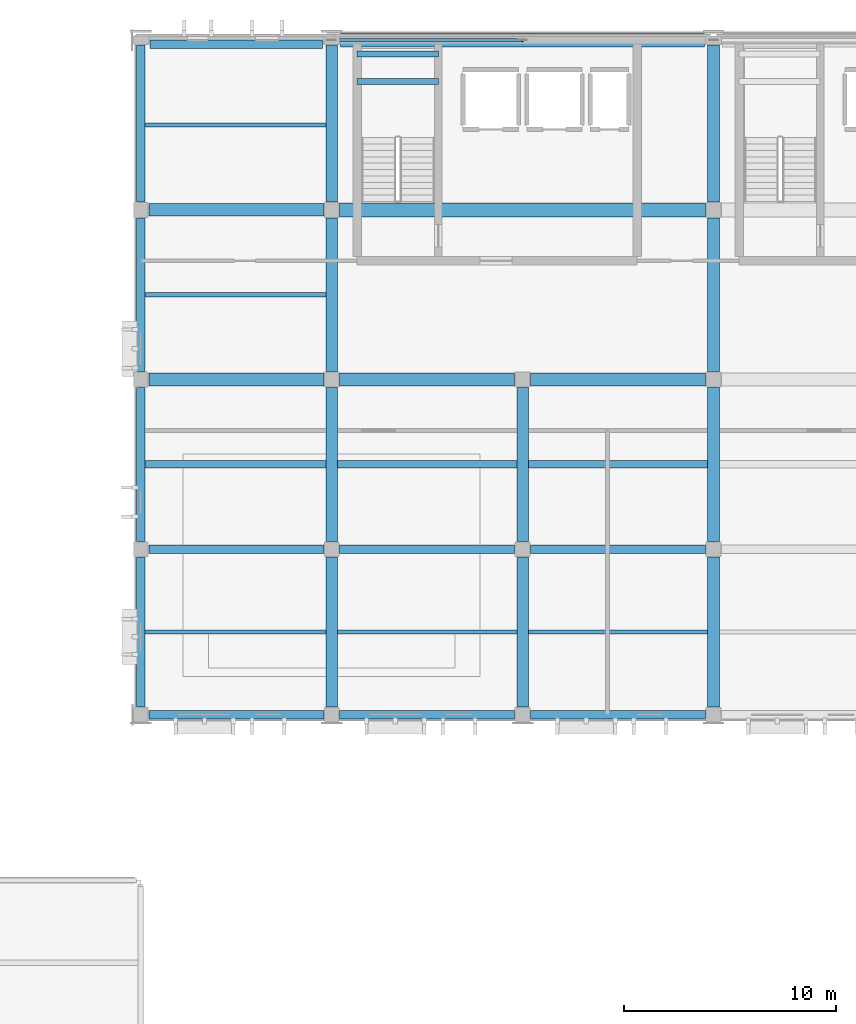
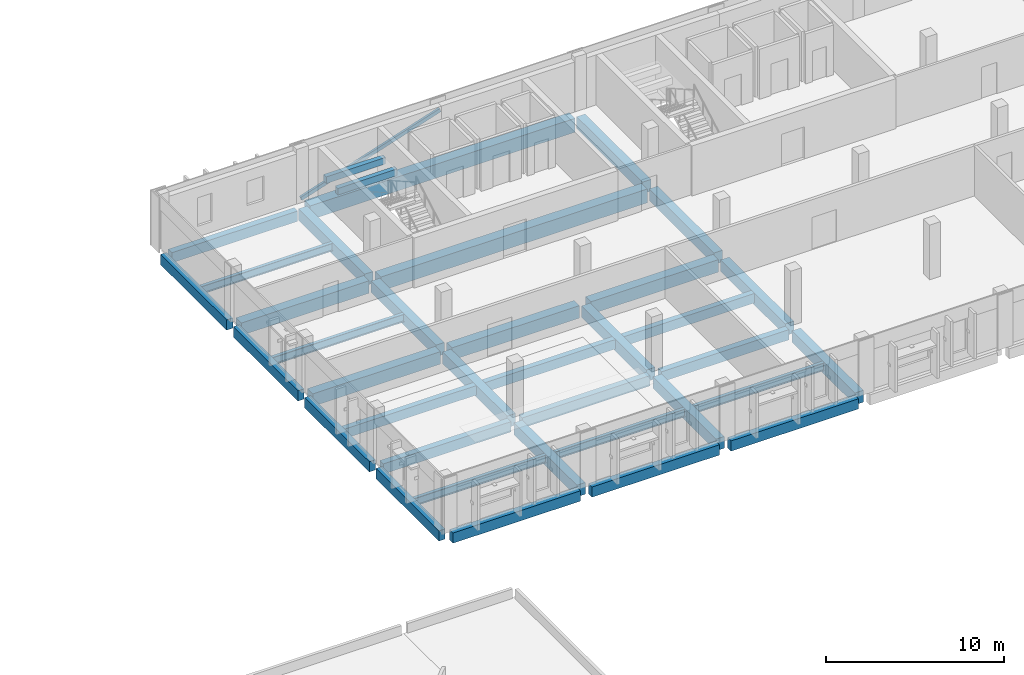
# One storey, part 20 of 73: 37 beams, 1 member.
"""IFC4 building model written with IfcOpenShell, lengths in metres."""

from ifc_helpers import new_model, si_unit, direction, frame, origin, origin_2d, place, context, subcontext, project, spatial, rectangle, hollow_rectangle, i_section, extrude, material, material_profile, profile_set, type_object, element, save


model = new_model("IFC4")

# Units and contexts
model_context = context("Model", 3, precision=1e-05, world=origin(), true_north=direction((0.0, 1.0)))
body_context = subcontext(model_context, "Body", "Model", "MODEL_VIEW")
ifc_project = project(units=[si_unit("LENGTHUNIT", "METRE"), si_unit("AREAUNIT", "SQUARE_METRE"), si_unit("VOLUMEUNIT", "CUBIC_METRE"), si_unit("PLANEANGLEUNIT", "RADIAN"), si_unit("MASSUNIT", "GRAM", prefix="KILO")], contexts=[model_context])

# Site, building, storey
site_placement = place(None, origin())
site = spatial("IfcSite", under=ifc_project, at=site_placement, CompositionType="ELEMENT")
building_placement = place(site_placement, origin())
building = spatial("IfcBuilding", under=site, at=building_placement, Name="Vervanel Yard Central Library", CompositionType="ELEMENT")
storey_placement = place(building_placement, frame((0.0, 0.0, 12.780029296875)))
storey = spatial("IfcBuildingStorey", under=building, at=storey_placement, Name="L03", CompositionType="ELEMENT", Elevation=12.780029296875)

# Beams
ifc_material_1 = material(Name="Concrete C45/55", Category="concrete")
ifc_material_profile_1 = material_profile(ifc_material_1, rectangle(XDim=0.64990234375, YDim=0.949951171875, at=origin_2d()), Name="RC 650x950", Category="concrete")
ifc_profile_set_1 = profile_set([ifc_material_profile_1], Name="Concrete C45/55")
beam_type_1 = type_object("IfcBeamType", Name="Concrete Heavy Stack Girder 650x950", PredefinedType="BEAM", material=ifc_profile_set_1)
beam_1_placement = place(storey_placement, frame((45.375, 106.0, -0.81005859375), z_axis=(1.0, 0.0, 0.0), x_axis=(0.0, 1.0, 0.0)))
element("IfcBeam", 1, at=beam_1_placement, inside=storey, type_object=beam_type_1, Name="L03 Girder CB-04 Y=106.0 X=45.0-63.0", PredefinedType="BEAM", context=body_context, shape_type="SweptSolid", body=[
    extrude(rectangle(XDim=0.64990234375, YDim=0.949951171875, at=origin_2d()), origin(), (0.0, 0.0, 1.0), 17.25),
])
beam_2_placement = place(storey_placement, frame((45.425048828125, 114.0, -0.81005859375), z_axis=(1.0, 0.0, 0.0), x_axis=(0.0, 1.0, 0.0)))
element("IfcBeam", 2, at=beam_2_placement, inside=storey, type_object=beam_type_1, Name="L03 Girder CB-04 Y=114.0 X=45.0-63.0", PredefinedType="BEAM", context=body_context, shape_type="SweptSolid", body=[
    extrude(rectangle(XDim=0.64990234375, YDim=0.949951171875, at=origin_2d()), origin(), (0.0, 0.0, 1.0), 17.14990234375),
])
ifc_material_2 = material(Name="Concrete C40/50", Category="concrete")
ifc_material_profile_2 = material_profile(ifc_material_2, rectangle(XDim=0.300048828125, YDim=0.449951171875, at=origin_2d()), Name="RC 300x450", Category="concrete")
ifc_profile_set_2 = profile_set([ifc_material_profile_2], Name="Concrete C40/50")
beam_type_2 = type_object("IfcBeamType", Name="Concrete Opening Lintel 300x450", PredefinedType="LINTEL", material=ifc_profile_set_2)
for number, where, z_axis, x_axis, name in (
    (3, (46.199951171875, 112.050048828125, 1.445068359375), (1.0, 0.0, 0.0), (0.0, 1.0, 0.0), "L03 CORE-A Stair Landing Beam 7"),
    (4, (46.199951171875, 113.35009765625, 1.445068359375), (1.0, 0.0, 0.0), (0.0, 1.0, 0.0), "L03 CORE-A Stair Landing Beam 8"),
):
    element("IfcBeam", number, at=place(storey_placement, frame(where, z_axis=z_axis, x_axis=x_axis)), inside=storey, type_object=beam_type_2, Name=name, PredefinedType="LINTEL", context=body_context, shape_type="SweptSolid", body=[
        extrude(rectangle(XDim=0.300048828125, YDim=0.449951171875, at=origin_2d()), origin(), (0.0, 0.0, 1.0), 3.824951171875),
    ])
ifc_material_profile_3 = material_profile(ifc_material_2, rectangle(XDim=0.39990234375, YDim=0.699951171875, at=origin_2d()), Name="RC 400x700", Category="concrete")
ifc_profile_set_3 = profile_set([ifc_material_profile_3], Name="Concrete C40/50")
beam_type_3 = type_object("IfcBeamType", Name="Concrete Perimeter Spandrel 400x700", PredefinedType="SPANDREL", material=ifc_profile_set_3)
for number, where, z_axis, x_axis, name in (
    (5, (36.375, 82.199951171875, -0.68505859375), (1.0, 0.0, 0.0), (0.0, 1.0, 0.0), "L03 Girder SP-01 Y=82.2 X=36.0-45.0"),
    (6, (45.375, 82.199951171875, -0.68505859375), (1.0, 0.0, 0.0), (0.0, 1.0, 0.0), "L03 Girder SP-01 Y=82.2 X=45.0-54.0"),
    (7, (54.375, 82.199951171875, -0.68505859375), (1.0, 0.0, 0.0), (0.0, 1.0, 0.0), "L03 Girder SP-01 Y=82.2 X=54.0-63.0"),
    (8, (36.375, 90.0, -0.68505859375), (1.0, 0.0, 0.0), (0.0, 1.0, 0.0), "L03 Girder SP-01 Y=90.0 X=36.0-45.0"),
    (9, (45.375, 90.0, -0.68505859375), (1.0, 0.0, 0.0), (0.0, 1.0, 0.0), "L03 Girder SP-01 Y=90.0 X=45.0-54.0"),
    (10, (54.375, 90.0, -0.68505859375), (1.0, 0.0, 0.0), (0.0, 1.0, 0.0), "L03 Girder SP-01 Y=90.0 X=54.0-63.0"),
):
    element("IfcBeam", number, at=place(storey_placement, frame(where, z_axis=z_axis, x_axis=x_axis)), inside=storey, type_object=beam_type_3, Name=name, PredefinedType="SPANDREL", context=body_context, shape_type="SweptSolid", body=[
        extrude(rectangle(XDim=0.39990234375, YDim=0.699951171875, at=origin_2d()), origin(), (0.0, 0.0, 1.0), 8.25),
    ])
beam_3_placement = place(storey_placement, frame((36.425048828125, 113.800048828125, -0.68505859375), z_axis=(1.0, 0.0, 0.0), x_axis=(0.0, 1.0, 0.0)))
element("IfcBeam", 11, at=beam_3_placement, inside=storey, type_object=beam_type_3, Name="L03 Girder SP-01 Y=114.0 X=36.0-45.0", PredefinedType="SPANDREL", context=body_context, shape_type="SweptSolid", body=[
    extrude(rectangle(XDim=0.39990234375, YDim=0.699951171875, at=origin_2d()), origin(), (0.0, 0.0, 1.0), 8.14990234375),
])
beam_4_placement = place(storey_placement, frame((36.0, 82.574951171875, -0.68505859375), z_axis=(0.0, 1.0, 0.0), x_axis=(-1.0, 0.0, 0.0)))
element("IfcBeam", 12, at=beam_4_placement, inside=storey, type_object=beam_type_3, Name="L03 Girder SP-01 X=36.0 Y=82.2-90.0", PredefinedType="SPANDREL", context=body_context, shape_type="SweptSolid", body=[
    extrude(rectangle(XDim=0.39990234375, YDim=0.699951171875, at=origin_2d()), origin(), (0.0, 0.0, 1.0), 7.050048828125),
])
for number, where, z_axis, x_axis, name in (
    (13, (36.0, 90.375, -0.68505859375), (0.0, 1.0, 0.0), (-1.0, 0.0, 0.0), "L03 Girder SP-01 X=36.0 Y=90.0-98.0"),
    (14, (36.0, 98.375, -0.68505859375), (0.0, 1.0, 0.0), (-1.0, 0.0, 0.0), "L03 Girder SP-01 X=36.0 Y=98.0-106.0"),
):
    element("IfcBeam", number, at=place(storey_placement, frame(where, z_axis=z_axis, x_axis=x_axis)), inside=storey, type_object=beam_type_3, Name=name, PredefinedType="SPANDREL", context=body_context, shape_type="SweptSolid", body=[
        extrude(rectangle(XDim=0.39990234375, YDim=0.699951171875, at=origin_2d()), origin(), (0.0, 0.0, 1.0), 7.25),
    ])
beam_5_placement = place(storey_placement, frame((36.0, 106.375, -0.68505859375), z_axis=(0.0, 1.0, 0.0), x_axis=(-1.0, 0.0, 0.0)))
element("IfcBeam", 15, at=beam_5_placement, inside=storey, type_object=beam_type_3, Name="L03 Girder SP-01 X=36.0 Y=106.0-114.0", PredefinedType="SPANDREL", context=body_context, shape_type="SweptSolid", body=[
    extrude(rectangle(XDim=0.39990234375, YDim=0.699951171875, at=origin_2d()), origin(), (0.0, 0.0, 1.0), 7.39990234375),
])
ifc_material_profile_4 = material_profile(ifc_material_2, rectangle(XDim=0.550048828125, YDim=0.800048828125, at=origin_2d()), Name="RC 550x800", Category="concrete")
ifc_profile_set_4 = profile_set([ifc_material_profile_4], Name="Concrete C40/50")
beam_type_4 = type_object("IfcBeamType", Name="Concrete Primary Girder 550x800", PredefinedType="BEAM", material=ifc_profile_set_4)
beam_6_placement = place(storey_placement, frame((45.0, 82.574951171875, -0.735107421875), z_axis=(0.0, 1.0, 0.0), x_axis=(-1.0, 0.0, 0.0)))
element("IfcBeam", 16, at=beam_6_placement, inside=storey, type_object=beam_type_4, Name="L03 Girder CB-02 X=45.0 Y=82.2-90.0", PredefinedType="BEAM", context=body_context, shape_type="SweptSolid", body=[
    extrude(rectangle(XDim=0.550048828125, YDim=0.800048828125, at=origin_2d()), origin(), (0.0, 0.0, 1.0), 7.050048828125),
])
for number, where, z_axis, x_axis, name in (
    (17, (45.0, 90.375, -0.735107421875), (0.0, 1.0, 0.0), (-1.0, 0.0, 0.0), "L03 Girder CB-02 X=45.0 Y=90.0-98.0"),
    (18, (45.0, 98.375, -0.735107421875), (0.0, 1.0, 0.0), (-1.0, 0.0, 0.0), "L03 Girder CB-02 X=45.0 Y=98.0-106.0"),
):
    element("IfcBeam", number, at=place(storey_placement, frame(where, z_axis=z_axis, x_axis=x_axis)), inside=storey, type_object=beam_type_4, Name=name, PredefinedType="BEAM", context=body_context, shape_type="SweptSolid", body=[
        extrude(rectangle(XDim=0.550048828125, YDim=0.800048828125, at=origin_2d()), origin(), (0.0, 0.0, 1.0), 7.25),
    ])
beam_7_placement = place(storey_placement, frame((45.0, 106.375, -0.735107421875), z_axis=(0.0, 1.0, 0.0), x_axis=(-1.0, 0.0, 0.0)))
element("IfcBeam", 19, at=beam_7_placement, inside=storey, type_object=beam_type_4, Name="L03 Girder CB-02 X=45.0 Y=106.0-114.0", PredefinedType="BEAM", context=body_context, shape_type="SweptSolid", body=[
    extrude(rectangle(XDim=0.550048828125, YDim=0.800048828125, at=origin_2d()), origin(), (0.0, 0.0, 1.0), 7.39990234375),
])
beam_8_placement = place(storey_placement, frame((54.0, 82.574951171875, -0.735107421875), z_axis=(0.0, 1.0, 0.0), x_axis=(-1.0, 0.0, 0.0)))
element("IfcBeam", 20, at=beam_8_placement, inside=storey, type_object=beam_type_4, Name="L03 Girder CB-02 X=54.0 Y=82.2-90.0", PredefinedType="BEAM", context=body_context, shape_type="SweptSolid", body=[
    extrude(rectangle(XDim=0.550048828125, YDim=0.800048828125, at=origin_2d()), origin(), (0.0, 0.0, 1.0), 7.050048828125),
])
beam_9_placement = place(storey_placement, frame((54.0, 90.375, -0.735107421875), z_axis=(0.0, 1.0, 0.0), x_axis=(-1.0, 0.0, 0.0)))
element("IfcBeam", 21, at=beam_9_placement, inside=storey, type_object=beam_type_4, Name="L03 Girder CB-02 X=54.0 Y=90.0-98.0", PredefinedType="BEAM", context=body_context, shape_type="SweptSolid", body=[
    extrude(rectangle(XDim=0.550048828125, YDim=0.800048828125, at=origin_2d()), origin(), (0.0, 0.0, 1.0), 7.25),
])
beam_10_placement = place(storey_placement, frame((63.0, 82.574951171875, -0.735107421875), z_axis=(0.0, 1.0, 0.0), x_axis=(-1.0, 0.0, 0.0)))
element("IfcBeam", 22, at=beam_10_placement, inside=storey, type_object=beam_type_4, Name="L03 Girder CB-02 X=63.0 Y=82.2-90.0", PredefinedType="BEAM", context=body_context, shape_type="SweptSolid", body=[
    extrude(rectangle(XDim=0.550048828125, YDim=0.800048828125, at=origin_2d()), origin(), (0.0, 0.0, 1.0), 7.050048828125),
])
for number, where, z_axis, x_axis, name in (
    (23, (63.0, 90.375, -0.735107421875), (0.0, 1.0, 0.0), (-1.0, 0.0, 0.0), "L03 Girder CB-02 X=63.0 Y=90.0-98.0"),
    (24, (63.0, 98.375, -0.735107421875), (0.0, 1.0, 0.0), (-1.0, 0.0, 0.0), "L03 Girder CB-02 X=63.0 Y=98.0-106.0"),
):
    element("IfcBeam", number, at=place(storey_placement, frame(where, z_axis=z_axis, x_axis=x_axis)), inside=storey, type_object=beam_type_4, Name=name, PredefinedType="BEAM", context=body_context, shape_type="SweptSolid", body=[
        extrude(rectangle(XDim=0.550048828125, YDim=0.800048828125, at=origin_2d()), origin(), (0.0, 0.0, 1.0), 7.25),
    ])
beam_11_placement = place(storey_placement, frame((63.0, 106.375, -0.735107421875), z_axis=(0.0, 1.0, 0.0), x_axis=(-1.0, 0.0, 0.0)))
element("IfcBeam", 25, at=beam_11_placement, inside=storey, type_object=beam_type_4, Name="L03 Girder CB-02 X=63.0 Y=106.0-114.0", PredefinedType="BEAM", context=body_context, shape_type="SweptSolid", body=[
    extrude(rectangle(XDim=0.550048828125, YDim=0.800048828125, at=origin_2d()), origin(), (0.0, 0.0, 1.0), 7.39990234375),
])
ifc_material_profile_5 = material_profile(ifc_material_1, rectangle(XDim=0.60009765625, YDim=0.85009765625, at=origin_2d()), Name="RC 600x850", Category="concrete")
ifc_profile_set_5 = profile_set([ifc_material_profile_5], Name="Concrete C45/55")
beam_type_5 = type_object("IfcBeamType", Name="Concrete Stack Girder 600x850", PredefinedType="BEAM", material=ifc_profile_set_5)
for number, where, z_axis, x_axis, name in (
    (26, (36.375, 98.0, -0.760009765625), (1.0, 0.0, 0.0), (0.0, 1.0, 0.0), "L03 Girder CB-03 Y=98.0 X=36.0-45.0"),
    (27, (45.375, 98.0, -0.760009765625), (1.0, 0.0, 0.0), (0.0, 1.0, 0.0), "L03 Girder CB-03 Y=98.0 X=45.0-54.0"),
    (28, (54.375, 98.0, -0.760009765625), (1.0, 0.0, 0.0), (0.0, 1.0, 0.0), "L03 Girder CB-03 Y=98.0 X=54.0-63.0"),
    (29, (36.375, 106.0, -0.760009765625), (1.0, 0.0, 0.0), (0.0, 1.0, 0.0), "L03 Girder CB-03 Y=106.0 X=36.0-45.0"),
):
    element("IfcBeam", number, at=place(storey_placement, frame(where, z_axis=z_axis, x_axis=x_axis)), inside=storey, type_object=beam_type_5, Name=name, PredefinedType="BEAM", context=body_context, shape_type="SweptSolid", body=[
        extrude(rectangle(XDim=0.60009765625, YDim=0.85009765625, at=origin_2d()), origin(), (0.0, 0.0, 1.0), 8.25),
    ])
ifc_material_profile_6 = material_profile(ifc_material_1, rectangle(XDim=0.35009765625, YDim=0.64990234375, at=origin_2d()), Name="RC 350x650", Category="concrete")
ifc_profile_set_6 = profile_set([ifc_material_profile_6], Name="Concrete C45/55")
beam_type_6 = type_object("IfcBeamType", Name="Concrete Stack Joist 350x650", PredefinedType="JOIST", material=ifc_profile_set_6)
beam_12_placement = place(storey_placement, frame((36.199951171875, 94.0, -0.659912109375), z_axis=(1.0, 0.0, 0.0), x_axis=(0.0, 1.0, 0.0)))
element("IfcBeam", 30, at=beam_12_placement, inside=storey, type_object=beam_type_6, Name="L03 Floor Joist CJ-03 Y=94.00 X=36.0-45.0", PredefinedType="JOIST", context=body_context, shape_type="SweptSolid", body=[
    extrude(rectangle(XDim=0.35009765625, YDim=0.64990234375, at=origin_2d()), origin(), (0.0, 0.0, 1.0), 8.525146484375),
])
for number, where, z_axis, x_axis, name in (
    (31, (45.27490234375, 94.0, -0.659912109375), (1.0, 0.0, 0.0), (0.0, 1.0, 0.0), "L03 Floor Joist CJ-03 Y=94.00 X=45.0-54.0"),
    (32, (54.27490234375, 94.0, -0.659912109375), (1.0, 0.0, 0.0), (0.0, 1.0, 0.0), "L03 Floor Joist CJ-03 Y=94.00 X=54.0-63.0"),
):
    element("IfcBeam", number, at=place(storey_placement, frame(where, z_axis=z_axis, x_axis=x_axis)), inside=storey, type_object=beam_type_6, Name=name, PredefinedType="JOIST", context=body_context, shape_type="SweptSolid", body=[
        extrude(rectangle(XDim=0.35009765625, YDim=0.64990234375, at=origin_2d()), origin(), (0.0, 0.0, 1.0), 8.4501953125),
    ])

# Member
ifc_material_3 = material(Name="Steel ASTM A500 Grade C", Category="steel")
ifc_material_profile_7 = material_profile(ifc_material_3, hollow_rectangle(XDim=0.15234375, YDim=0.25390625, WallThickness=0.01171875, at=origin_2d()), Name="HSS10X6X1/2", Category="steel")
ifc_profile_set_7 = profile_set([ifc_material_profile_7], Name="Steel ASTM A500 Grade C")
member_type = type_object("IfcMemberType", Name="Lateral Frame Brace HSS10X6X1/2", PredefinedType="BRACE", material=ifc_profile_set_7)
member_placement = place(storey_placement, frame((45.0, 114.0, 0.14990234375), z_axis=(0.951032552024, 0.0, 0.30909073909), x_axis=(0.0, 1.0, 0.0)))
element("IfcMember", 33, at=member_placement, inside=storey, type_object=member_type, Name="L03 Stack Spine Lateral Brace 3", PredefinedType="BRACE", context=body_context, shape_type="SweptSolid", body=[
    extrude(hollow_rectangle(XDim=0.15234375, YDim=0.25390625, WallThickness=0.01171875, at=origin_2d()), origin(), (0.0, 0.0, 1.0), 9.46337890625),
])

# Beams
ifc_material_4 = material(Name="Steel ASTM A992 Grade 50", Category="steel")
ifc_material_profile_8 = material_profile(ifc_material_4, i_section(OverallWidth=0.2099609375, OverallDepth=0.535888671875, WebThickness=0.010986328125, FlangeThickness=0.017333984375, at=origin_2d()), Name="W21X68", Category="steel")
ifc_profile_set_8 = profile_set([ifc_material_profile_8], Name="Steel ASTM A992 Grade 50")
beam_type_7 = type_object("IfcBeamType", Name="Steel Stack Floor Joist W21X68", PredefinedType="JOIST", material=ifc_profile_set_8)
for number, where, z_axis, x_axis, name in (
    (34, (36.199951171875, 86.10009765625, -0.60302734375), (1.0, 0.0, 0.0), (0.0, 1.0, 0.0), "L03 Floor Joist SJ-04 Y=86.10 X=36.0-45.0"),
    (35, (36.199951171875, 102.0, -0.60302734375), (1.0, 0.0, 0.0), (0.0, 1.0, 0.0), "L03 Floor Joist SJ-04 Y=102.00 X=36.0-45.0"),
    (36, (36.199951171875, 110.0, -0.60302734375), (1.0, 0.0, 0.0), (0.0, 1.0, 0.0), "L03 Floor Joist SJ-04 Y=110.00 X=36.0-45.0"),
):
    element("IfcBeam", number, at=place(storey_placement, frame(where, z_axis=z_axis, x_axis=x_axis)), inside=storey, type_object=beam_type_7, Name=name, PredefinedType="JOIST", context=body_context, shape_type="SweptSolid", body=[
        extrude(i_section(OverallWidth=0.2099609375, OverallDepth=0.535888671875, WebThickness=0.010986328125, FlangeThickness=0.017333984375, at=origin_2d()), origin(), (0.0, 0.0, 1.0), 8.525146484375),
    ])
for number, where, z_axis, x_axis, name in (
    (37, (45.27490234375, 86.10009765625, -0.60302734375), (1.0, 0.0, 0.0), (0.0, 1.0, 0.0), "L03 Floor Joist SJ-04 Y=86.10 X=45.0-54.0"),
    (38, (54.27490234375, 86.10009765625, -0.60302734375), (1.0, 0.0, 0.0), (0.0, 1.0, 0.0), "L03 Floor Joist SJ-04 Y=86.10 X=54.0-63.0"),
):
    element("IfcBeam", number, at=place(storey_placement, frame(where, z_axis=z_axis, x_axis=x_axis)), inside=storey, type_object=beam_type_7, Name=name, PredefinedType="JOIST", context=body_context, shape_type="SweptSolid", body=[
        extrude(i_section(OverallWidth=0.2099609375, OverallDepth=0.535888671875, WebThickness=0.010986328125, FlangeThickness=0.017333984375, at=origin_2d()), origin(), (0.0, 0.0, 1.0), 8.4501953125),
    ])

save(model, "model.ifc")
